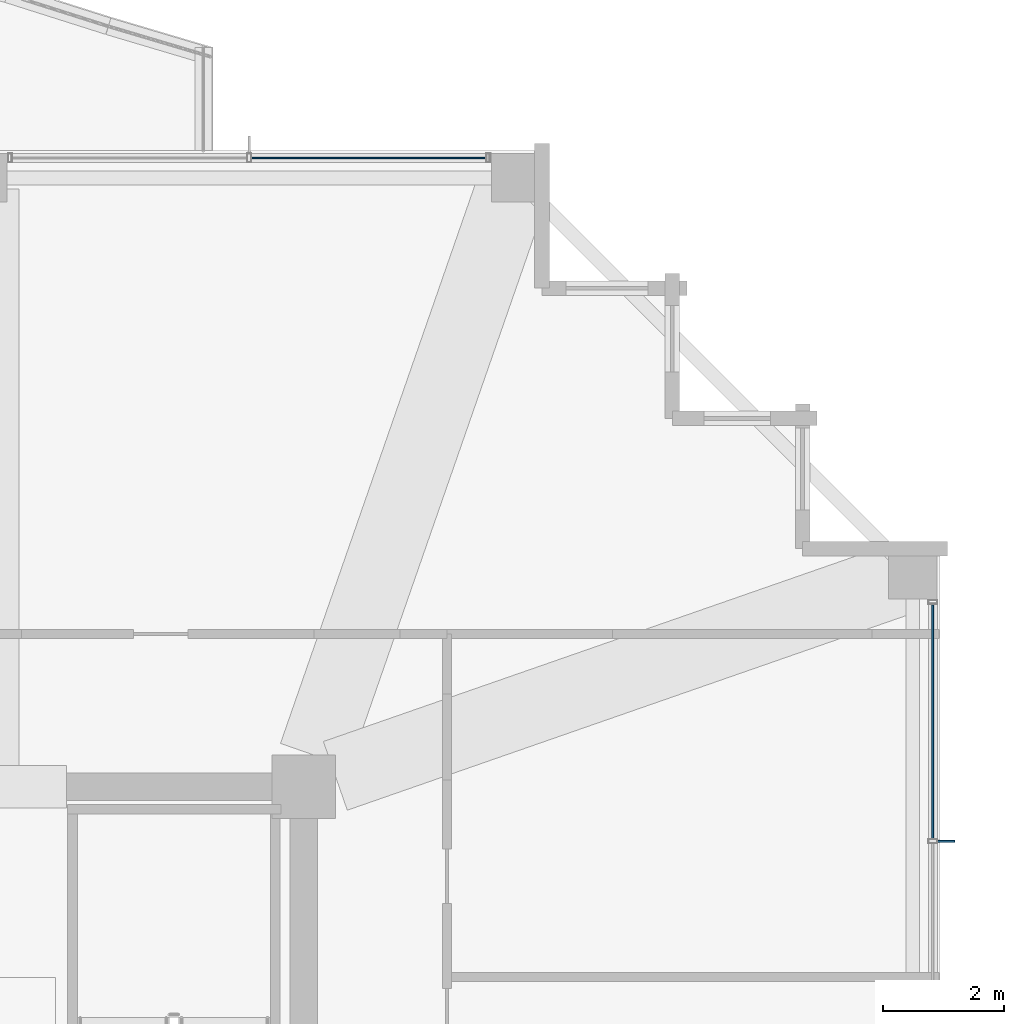
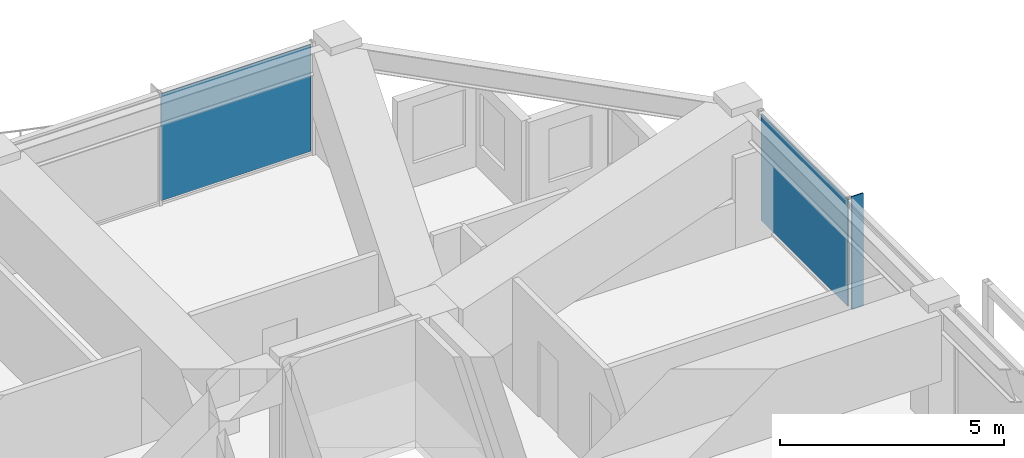
# One storey, part 30 of 37: 3 plates, 2 elements without a shape of their own.
"""IFC4 building model written with IfcOpenShell, lengths in metres."""

from ifc_helpers import new_model, si_unit, direction, frame, origin, origin_2d, place, context, subcontext, project, spatial, rectangle, extrude, material, layer, layer_set, type_object, element, aggregate, save


model = new_model("IFC4")

# Units and contexts
model_context = context("Model", 3, precision=1e-05, world=origin(), true_north=direction((0.0, 1.0)))
body_context = subcontext(model_context, "Body", "Model", "MODEL_VIEW")
ifc_project = project(units=[si_unit("LENGTHUNIT", "METRE"), si_unit("AREAUNIT", "SQUARE_METRE"), si_unit("VOLUMEUNIT", "CUBIC_METRE"), si_unit("PLANEANGLEUNIT", "RADIAN"), si_unit("MASSUNIT", "GRAM", prefix="KILO")], contexts=[model_context])

# Site, building, storey
site_placement = place(None, origin())
site = spatial("IfcSite", under=ifc_project, at=site_placement, CompositionType="ELEMENT")
building_placement = place(site_placement, origin())
building = spatial("IfcBuilding", under=site, at=building_placement, Name="Kolvaren Belvedere", CompositionType="ELEMENT")
storey_placement = place(building_placement, frame((0.0, 0.0, 219.60009765625)))
storey = spatial("IfcBuildingStorey", under=building, at=storey_placement, Name="L64", CompositionType="ELEMENT", Elevation=219.60009765625)

# Curtain wall, plate
ifc_material_1 = material(Name="Anodised pale-metal aluminium AA 6063-T6", Category="aluminium")
curtain_wall_type = type_object("IfcCurtainWallType", Name="CW-Z5-HIGH", PredefinedType="NOTDEFINED", material=ifc_material_1)
curtain_wall_1_placement = place(storey_placement, origin())
curtain_wall_1 = element("IfcCurtainWall", 1, at=curtain_wall_1_placement, inside=storey, type_object=curtain_wall_type, Name="L64 Unitised Curtain Wall FCW-L64-E-B1", PredefinedType="NOTDEFINED")
ifc_material_2 = material(Name="Low-iron triple insulated glass", Category="glass")
ifc_layer_1 = layer(ifc_material_2, 0.028076171875)
ifc_layer_set_1 = layer_set([ifc_layer_1], Name="Low-iron triple insulated glass")
plate_type_1 = type_object("IfcPlateType", Name="CW-PNL-VIS28", PredefinedType="CURTAIN_PANEL", material=ifc_layer_set_1)
plate_1_placement = place(storey_placement, frame((20.280029296875, 10.972412109375, 0.079833984375), z_axis=(0.0, 0.0, 1.0), x_axis=(0.0, -1.0, 0.0)))
plate_1 = element("IfcPlate", 2, at=plate_1_placement, type_object=plate_type_1, Name="FCW-L64-E-B1 Vision Glazing Panel 1", PredefinedType="CURTAIN_PANEL", context=body_context, shape_type="SweptSolid", body=[
    extrude(rectangle(XDim=3.864990234375, YDim=0.028076171875, at=origin_2d()), origin(), (0.0, 0.0, 1.0), 2.919921875),
])
aggregate(curtain_wall_1, [plate_1])

curtain_wall_2_placement = place(storey_placement, origin())
curtain_wall_2 = element("IfcCurtainWall", 3, at=curtain_wall_2_placement, inside=storey, type_object=curtain_wall_type, Name="L64 Unitised Curtain Wall FCW-L64-N2-B2", PredefinedType="NOTDEFINED")
plate_2_placement = place(storey_placement, frame((10.972412109375, 20.280029296875, 0.079833984375), z_axis=(0.0, 0.0, 1.0), x_axis=(1.0, 0.0, 0.0)))
plate_2 = element("IfcPlate", 4, at=plate_2_placement, type_object=plate_type_1, Name="FCW-L64-N2-B2 Vision Glazing Panel 2", PredefinedType="CURTAIN_PANEL", context=body_context, shape_type="SweptSolid", body=[
    extrude(rectangle(XDim=3.864990234375, YDim=0.028076171875, at=origin_2d()), origin(), (0.0, 0.0, 1.0), 2.919921875),
])
aggregate(curtain_wall_2, [plate_2])

# Plate
ifc_material_3 = material(Name="Anodised pale-metal aluminium AA 6063-T6", Category="aluminium")
ifc_layer_2 = layer(ifc_material_3, 0.030029296875)
ifc_layer_set_2 = layer_set([ifc_layer_2], Name="Anodised pale-metal aluminium AA 6063-T6")
plate_type_2 = type_object("IfcPlateType", Name="FIN-VERT-300", PredefinedType="USERDEFINED", material=ifc_layer_set_2)
plate_3_placement = place(storey_placement, frame((20.489990234375, 9.0, -0.000244140625), z_axis=(0.0, 0.0, 1.0), x_axis=(1.0, 0.0, 0.0)))
element("IfcPlate", 5, at=plate_3_placement, inside=storey, type_object=plate_type_2, Name="L64 Pale-Metal Vertical Shading Fin FCW-L64-E-B1-1", ObjectType="VERTICAL FIN", PredefinedType="USERDEFINED", context=body_context, shape_type="SweptSolid", body=[
    extrude(rectangle(XDim=0.300048828125, YDim=0.030029296875, at=origin_2d()), origin(), (0.0, 0.0, 1.0), 3.080078125),
])

save(model, "model.ifc")
